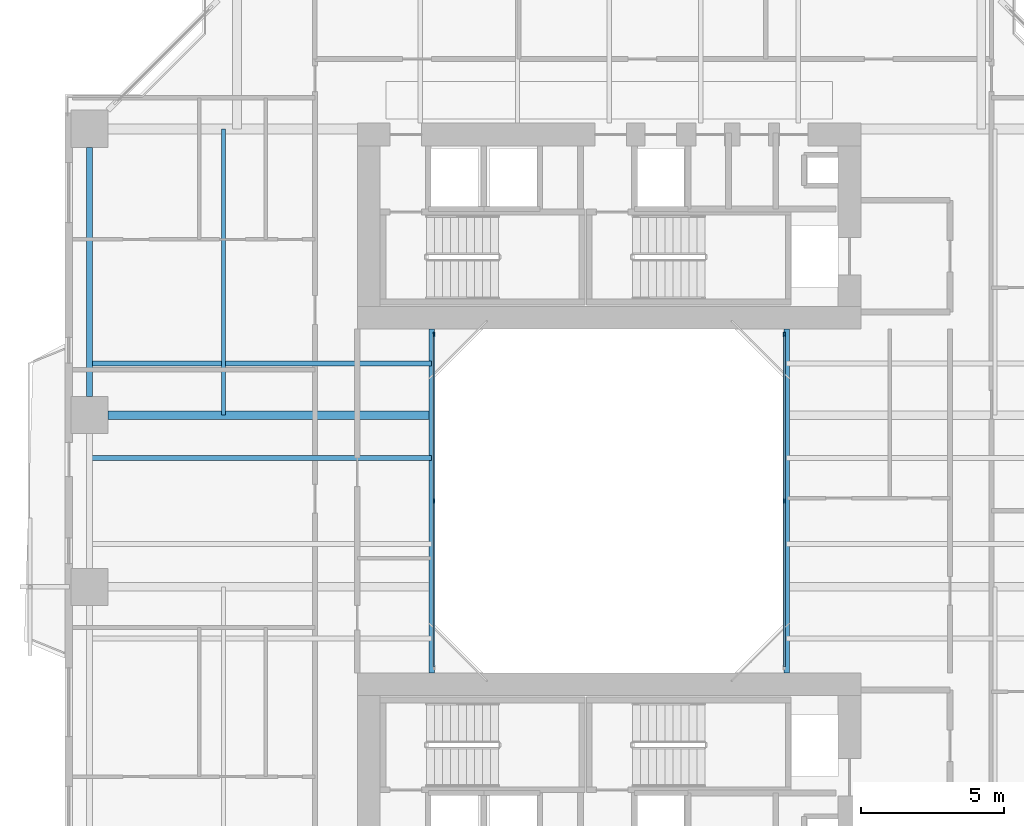
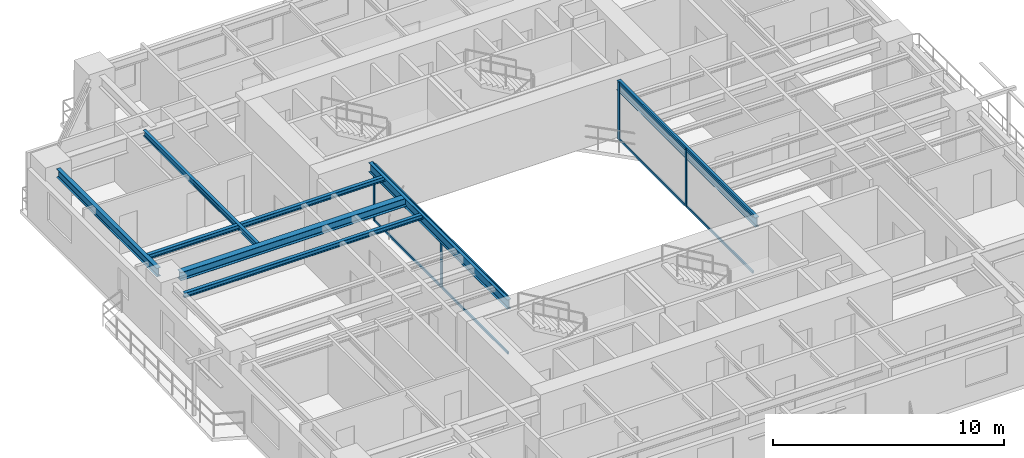
# One storey, part 4 of 23: 12 members, 7 beams, 2 elements without a shape of their own.
"""IFC4 building model written with IfcOpenShell, lengths in metres."""

from ifc_helpers import new_model, si_unit, direction, frame, origin, origin_2d, place, context, subcontext, project, spatial, rectangle, i_section, extrude, source, transform, mapped, material, layer, layer_set, material_profile, profile_set, type_object, element, aggregate, save


model = new_model("IFC4")

# Units and contexts
model_context = context("Model", 3, precision=1e-05, world=origin(), true_north=direction((0.0, 1.0)))
body_context = subcontext(model_context, "Body", "Model", "MODEL_VIEW")
ifc_project = project(units=[si_unit("LENGTHUNIT", "METRE"), si_unit("AREAUNIT", "SQUARE_METRE"), si_unit("VOLUMEUNIT", "CUBIC_METRE"), si_unit("PLANEANGLEUNIT", "RADIAN"), si_unit("MASSUNIT", "GRAM", prefix="KILO"), si_unit("THERMODYNAMICTEMPERATUREUNIT", "KELVIN"), si_unit("POWERUNIT", "WATT")], contexts=[model_context])

# Site, building, storey
site_placement = place(None, origin())
site = spatial("IfcSite", under=ifc_project, at=site_placement, CompositionType="ELEMENT")
building_placement = place(site_placement, origin())
building = spatial("IfcBuilding", under=site, at=building_placement, Name="Qiaomeng Ring Towers", CompositionType="ELEMENT")
storey_placement = place(building_placement, frame((0.0, 0.0, 89.25)))
storey = spatial("IfcBuildingStorey", under=building, at=storey_placement, Name="L25", CompositionType="ELEMENT", Elevation=89.25)

# Beams
ifc_material_1 = material(Name="Steel Q355B", Category="steel")
ifc_material_profile_1 = material_profile(ifc_material_1, i_section(OverallWidth=0.199951171875, OverallDepth=0.5, WebThickness=0.010009765625, FlangeThickness=0.01611328125, FilletRadius=0.02001953125, at=origin_2d()), Name="HN 500x200x10x16")
ifc_profile_set_1 = profile_set([ifc_material_profile_1], Name="Steel Q355B")
beam_type_1 = type_object("IfcBeamType", Name="STR-BM-HN500", PredefinedType="BEAM", material=ifc_profile_set_1)
shared_shape_1 = source(origin(), body_context, "Body", "SweptSolid", [
    extrude(i_section(OverallWidth=0.199951171875, OverallDepth=0.5, WebThickness=0.010009765625, FlangeThickness=0.01611328125, FilletRadius=0.02001953125, at=origin_2d()), origin(), (0.0, 0.0, 1.0), 12.0),
])
for number, where, z_axis, x_axis, name in (
    (1, (12.800048828125, 17.0, 2.780029296875), (0.0, 1.0, 0.0), (-1.0, 0.0, 0.0), "L25 beam STR-BM-L25-WELL-W"),
    (2, (25.199951171875, 17.0, 2.780029296875), (0.0, 1.0, 0.0), (-1.0, 0.0, 0.0), "L25 beam STR-BM-L25-WELL-E"),
):
    element("IfcBeam", number, at=place(storey_placement, frame(where, z_axis=z_axis, x_axis=x_axis)), inside=storey, type_object=beam_type_1, Name=name, PredefinedType="BEAM", context=body_context, shape_type="MappedRepresentation", body=[
        mapped(shared_shape_1, transform((0.0, 0.0, 0.0), x_axis=(1.0, 0.0, 0.0), y_axis=(0.0, 1.0, 0.0), z_axis=(0.0, 0.0, 1.0), scale=1.0)),
    ])
ifc_material_profile_2 = material_profile(ifc_material_1, i_section(OverallWidth=0.199951171875, OverallDepth=0.449951171875, WebThickness=0.009033203125, FlangeThickness=0.013916015625, FilletRadius=0.01806640625, at=origin_2d()), Name="HN 450x200x9x14")
ifc_profile_set_2 = profile_set([ifc_material_profile_2], Name="Steel Q355B")
beam_type_2 = type_object("IfcBeamType", Name="STR-BM-HN450", PredefinedType="SPANDREL", material=ifc_profile_set_2)
shared_shape_2 = source(origin(), body_context, "Body", "SweptSolid", [
    extrude(i_section(OverallWidth=0.199951171875, OverallDepth=0.449951171875, WebThickness=0.009033203125, FlangeThickness=0.013916015625, FilletRadius=0.01806640625, at=origin_2d()), origin(), (0.0, 0.0, 1.0), 8.7021484375),
])
beam_1_placement = place(storey_placement, frame((0.85009765625, 35.35107421875, 2.804931640625), z_axis=(0.0, -1.0, 0.0), x_axis=(1.0, 0.0, 0.0)))
element("IfcBeam", 3, at=beam_1_placement, inside=storey, type_object=beam_type_2, Name="L25 beam STR-SP-L25-T1-W4-W3", PredefinedType="SPANDREL", context=body_context, shape_type="MappedRepresentation", body=[
    mapped(shared_shape_2, transform((0.0, 0.0, 0.0), x_axis=(1.0, 0.0, 0.0), y_axis=(0.0, 1.0, 0.0), z_axis=(0.0, 0.0, 1.0), scale=1.0)),
])
ifc_material_profile_3 = material_profile(ifc_material_1, i_section(OverallWidth=0.300048828125, OverallDepth=0.43994140625, WebThickness=0.010986328125, FlangeThickness=0.01806640625, FilletRadius=0.02392578125, at=origin_2d()), Name="HM 440x300x11x18")
ifc_profile_set_3 = profile_set([ifc_material_profile_3], Name="Steel Q355B")
beam_type_3 = type_object("IfcBeamType", Name="STR-BM-HM440", PredefinedType="BEAM", material=ifc_profile_set_3)
shared_shape_3 = source(origin(), body_context, "Body", "SweptSolid", [
    extrude(i_section(OverallWidth=0.300048828125, OverallDepth=0.43994140625, WebThickness=0.010986328125, FlangeThickness=0.01806640625, FilletRadius=0.02392578125, at=origin_2d()), origin(), (0.0, 0.0, 1.0), 11.301025390625),
])
beam_2_placement = place(storey_placement, frame((1.4990234375, 26.0, 2.81005859375), z_axis=(1.0, 0.0, 0.0), x_axis=(0.0, 1.0, 0.0)))
element("IfcBeam", 4, at=beam_2_placement, inside=storey, type_object=beam_type_3, Name="L25 beam STR-BM-L25-T1-RAD-W3", PredefinedType="BEAM", context=body_context, shape_type="MappedRepresentation", body=[
    mapped(shared_shape_3, transform((0.0, 0.0, 0.0), x_axis=(1.0, 0.0, 0.0), y_axis=(0.0, 1.0, 0.0), z_axis=(0.0, 0.0, 1.0), scale=1.0)),
])
ifc_material_profile_4 = material_profile(ifc_material_1, i_section(OverallWidth=0.175048828125, OverallDepth=0.243896484375, WebThickness=0.007080078125, FlangeThickness=0.010986328125, FilletRadius=0.01611328125, at=origin_2d()), Name="HM 244x175x7x11")
ifc_profile_set_4 = profile_set([ifc_material_profile_4], Name="Steel Q355B")
beam_type_4 = type_object("IfcBeamType", Name="STR-BM-HM244", PredefinedType="JOIST", material=ifc_profile_set_4)
shared_shape_4 = source(origin(), body_context, "Body", "SweptSolid", [
    extrude(i_section(OverallWidth=0.175048828125, OverallDepth=0.243896484375, WebThickness=0.007080078125, FlangeThickness=0.010986328125, FilletRadius=0.01611328125, at=origin_2d()), origin(), (0.0, 0.0, 1.0), 11.949951171875),
])
for number, where, z_axis, x_axis, name in (
    (5, (0.85009765625, 24.5, 2.907958984375), (1.0, 0.0, 0.0), (0.0, 1.0, 0.0), "L25 beam STR-JST-L25-T1W-3"),
    (6, (0.85009765625, 27.800048828125, 2.907958984375), (1.0, 0.0, 0.0), (0.0, 1.0, 0.0), "L25 beam STR-JST-L25-T1W-4"),
):
    element("IfcBeam", number, at=place(storey_placement, frame(where, z_axis=z_axis, x_axis=x_axis)), inside=storey, type_object=beam_type_4, Name=name, PredefinedType="JOIST", context=body_context, shape_type="MappedRepresentation", body=[
        mapped(shared_shape_4, transform((0.0, 0.0, 0.0), x_axis=(1.0, 0.0, 0.0), y_axis=(0.0, 1.0, 0.0), z_axis=(0.0, 0.0, 1.0), scale=1.0)),
    ])
ifc_material_profile_5 = material_profile(ifc_material_1, i_section(OverallWidth=0.14990234375, OverallDepth=0.300048828125, WebThickness=0.006591796875, FlangeThickness=0.009033203125, FilletRadius=0.012939453125, at=origin_2d()), Name="HN 300x150x6.5x9")
ifc_profile_set_5 = profile_set([ifc_material_profile_5], Name="Steel Q355B")
beam_type_5 = type_object("IfcBeamType", Name="STR-BM-HN300", PredefinedType="JOIST", material=ifc_profile_set_5)
shared_shape_5 = source(origin(), body_context, "Body", "SweptSolid", [
    extrude(i_section(OverallWidth=0.14990234375, OverallDepth=0.300048828125, WebThickness=0.006591796875, FlangeThickness=0.009033203125, FilletRadius=0.012939453125, at=origin_2d()), origin(), (0.0, 0.0, 1.0), 10.0),
])
beam_3_placement = place(storey_placement, frame((5.52490234375, 26.0, 2.8798828125), z_axis=(0.0, 1.0, 0.0), x_axis=(-1.0, 0.0, 0.0)))
element("IfcBeam", 7, at=beam_3_placement, inside=storey, type_object=beam_type_5, Name="L25 beam STR-JST-L25-T1C-WN", PredefinedType="JOIST", context=body_context, shape_type="MappedRepresentation", body=[
    mapped(shared_shape_5, transform((0.0, 0.0, 0.0), x_axis=(1.0, 0.0, 0.0), y_axis=(0.0, 1.0, 0.0), z_axis=(0.0, 0.0, 1.0), scale=1.0)),
])

# Curtain wall, members
ifc_material_2 = material(Name="Fluorocarbon dark-grey aluminium", Category="aluminium")
ifc_layer = layer(ifc_material_2, 0.139892578125, Name="Fluorocarbon dark-grey aluminium")
ifc_layer_set = layer_set([ifc_layer], Name="Fluorocarbon dark-grey aluminium")
curtain_wall_type = type_object("IfcCurtainWallType", Name="ARC-CW-4", PredefinedType="NOTDEFINED", material=ifc_layer_set)
curtain_wall_1_placement = place(storey_placement, origin())
curtain_wall_1 = element("IfcCurtainWall", 8, at=curtain_wall_1_placement, inside=storey, type_object=curtain_wall_type, Name="L25 Curtain Wall CW4", PredefinedType="NOTDEFINED")
ifc_material_profile_6 = material_profile(ifc_material_2, rectangle(XDim=0.06494140625, YDim=0.1298828125, at=origin_2d()), Name="ALU TRAN 65x130")
ifc_profile_set_6 = profile_set([ifc_material_profile_6], Name="Fluorocarbon dark-grey aluminium")
member_type_1 = type_object("IfcMemberType", Name="ARC-CWT-120", PredefinedType="USERDEFINED", material=ifc_profile_set_6)
shared_shape_6 = source(origin(), body_context, "Body", "SweptSolid", [
    extrude(rectangle(XDim=0.06494140625, YDim=0.1298828125, at=origin_2d()), origin(), (0.0, 0.0, 1.0), 5.75244140625),
])
member_1_placement = place(storey_placement, frame((12.8798828125, 17.215087890625, 0.032470703125), z_axis=(0.0, 1.0, 0.0), x_axis=(-1.0, 0.0, 0.0)))
member_1 = element("IfcMember", 9, at=member_1_placement, type_object=member_type_1, Name="CW4 transom 1.1", ObjectType="TRANSOM", PredefinedType="USERDEFINED", context=body_context, shape_type="MappedRepresentation", body=[
    mapped(shared_shape_6, transform((0.0, 0.0, 0.0), x_axis=(1.0, 0.0, 0.0), y_axis=(0.0, 1.0, 0.0), z_axis=(0.0, 0.0, 1.0), scale=1.0)),
])
member_2_placement = place(storey_placement, frame((12.8798828125, 17.215087890625, 2.99755859375), z_axis=(0.0, 1.0, 0.0), x_axis=(-1.0, 0.0, 0.0)))
member_2 = element("IfcMember", 10, at=member_2_placement, type_object=member_type_1, Name="CW4 transom 1.2", ObjectType="TRANSOM", PredefinedType="USERDEFINED", context=body_context, shape_type="MappedRepresentation", body=[
    mapped(shared_shape_6, transform((0.0, 0.0, 0.0), x_axis=(1.0, 0.0, 0.0), y_axis=(0.0, 1.0, 0.0), z_axis=(0.0, 0.0, 1.0), scale=1.0)),
])
member_3_placement = place(storey_placement, frame((12.8798828125, 23.032470703125, 0.032470703125), z_axis=(0.0, 1.0, 0.0), x_axis=(-1.0, 0.0, 0.0)))
member_3 = element("IfcMember", 11, at=member_3_placement, type_object=member_type_1, Name="CW4 transom 2.1", ObjectType="TRANSOM", PredefinedType="USERDEFINED", context=body_context, shape_type="MappedRepresentation", body=[
    mapped(shared_shape_6, transform((0.0, 0.0, 0.0), x_axis=(1.0, 0.0, 0.0), y_axis=(0.0, 1.0, 0.0), z_axis=(0.0, 0.0, 1.0), scale=1.0)),
])
member_4_placement = place(storey_placement, frame((12.8798828125, 23.032470703125, 2.99755859375), z_axis=(0.0, 1.0, 0.0), x_axis=(-1.0, 0.0, 0.0)))
member_4 = element("IfcMember", 12, at=member_4_placement, type_object=member_type_1, Name="CW4 transom 2.2", ObjectType="TRANSOM", PredefinedType="USERDEFINED", context=body_context, shape_type="MappedRepresentation", body=[
    mapped(shared_shape_6, transform((0.0, 0.0, 0.0), x_axis=(1.0, 0.0, 0.0), y_axis=(0.0, 1.0, 0.0), z_axis=(0.0, 0.0, 1.0), scale=1.0)),
])

curtain_wall_2_placement = place(storey_placement, origin())
curtain_wall_2 = element("IfcCurtainWall", 13, at=curtain_wall_2_placement, inside=storey, type_object=curtain_wall_type, Name="L25 Curtain Wall CW4", PredefinedType="NOTDEFINED")
member_5_placement = place(storey_placement, frame((25.1201171875, 17.215087890625, 0.032470703125), z_axis=(0.0, 1.0, 0.0), x_axis=(-1.0, 0.0, 0.0)))
member_5 = element("IfcMember", 14, at=member_5_placement, type_object=member_type_1, Name="CW4 transom 1.1", ObjectType="TRANSOM", PredefinedType="USERDEFINED", context=body_context, shape_type="MappedRepresentation", body=[
    mapped(shared_shape_6, transform((0.0, 0.0, 0.0), x_axis=(1.0, 0.0, 0.0), y_axis=(0.0, 1.0, 0.0), z_axis=(0.0, 0.0, 1.0), scale=1.0)),
])
member_6_placement = place(storey_placement, frame((25.1201171875, 17.215087890625, 2.99755859375), z_axis=(0.0, 1.0, 0.0), x_axis=(-1.0, 0.0, 0.0)))
member_6 = element("IfcMember", 15, at=member_6_placement, type_object=member_type_1, Name="CW4 transom 1.2", ObjectType="TRANSOM", PredefinedType="USERDEFINED", context=body_context, shape_type="MappedRepresentation", body=[
    mapped(shared_shape_6, transform((0.0, 0.0, 0.0), x_axis=(1.0, 0.0, 0.0), y_axis=(0.0, 1.0, 0.0), z_axis=(0.0, 0.0, 1.0), scale=1.0)),
])
member_7_placement = place(storey_placement, frame((25.1201171875, 23.032470703125, 0.032470703125), z_axis=(0.0, 1.0, 0.0), x_axis=(-1.0, 0.0, 0.0)))
member_7 = element("IfcMember", 16, at=member_7_placement, type_object=member_type_1, Name="CW4 transom 2.1", ObjectType="TRANSOM", PredefinedType="USERDEFINED", context=body_context, shape_type="MappedRepresentation", body=[
    mapped(shared_shape_6, transform((0.0, 0.0, 0.0), x_axis=(1.0, 0.0, 0.0), y_axis=(0.0, 1.0, 0.0), z_axis=(0.0, 0.0, 1.0), scale=1.0)),
])
member_8_placement = place(storey_placement, frame((25.1201171875, 23.032470703125, 2.99755859375), z_axis=(0.0, 1.0, 0.0), x_axis=(-1.0, 0.0, 0.0)))
member_8 = element("IfcMember", 17, at=member_8_placement, type_object=member_type_1, Name="CW4 transom 2.2", ObjectType="TRANSOM", PredefinedType="USERDEFINED", context=body_context, shape_type="MappedRepresentation", body=[
    mapped(shared_shape_6, transform((0.0, 0.0, 0.0), x_axis=(1.0, 0.0, 0.0), y_axis=(0.0, 1.0, 0.0), z_axis=(0.0, 0.0, 1.0), scale=1.0)),
])

# Member
ifc_material_profile_7 = material_profile(ifc_material_2, rectangle(XDim=0.06494140625, YDim=0.159912109375, at=origin_2d()), Name="ALU MULL 65x160")
ifc_profile_set_7 = profile_set([ifc_material_profile_7], Name="Fluorocarbon dark-grey aluminium")
member_type_2 = type_object("IfcMemberType", Name="ARC-CWM-140", PredefinedType="MULLION", material=ifc_profile_set_7)
shared_shape_7 = source(origin(), body_context, "Body", "SweptSolid", [
    extrude(rectangle(XDim=0.06494140625, YDim=0.159912109375, at=origin_2d()), origin(), (0.0, 0.0, 1.0), 3.030029296875),
])
member_9_placement = place(storey_placement, frame((12.8798828125, 23.0, 0.0), z_axis=(0.0, 0.0, 1.0), x_axis=(-1.0, 0.0, 0.0)))
member_9 = element("IfcMember", 18, at=member_9_placement, type_object=member_type_2, Name="CW4 mullion 2", PredefinedType="MULLION", context=body_context, shape_type="MappedRepresentation", body=[
    mapped(shared_shape_7, transform((0.0, 0.0, 0.0), x_axis=(1.0, 0.0, 0.0), y_axis=(0.0, 1.0, 0.0), z_axis=(0.0, 0.0, 1.0), scale=1.0)),
])

member_10_placement = place(storey_placement, frame((12.8798828125, 28.8173828125, 0.0), z_axis=(0.0, 0.0, 1.0), x_axis=(-1.0, 0.0, 0.0)))
member_10 = element("IfcMember", 19, at=member_10_placement, type_object=member_type_2, Name="CW4 mullion 3", PredefinedType="MULLION", context=body_context, shape_type="MappedRepresentation", body=[
    mapped(shared_shape_7, transform((0.0, 0.0, 0.0), x_axis=(1.0, 0.0, 0.0), y_axis=(0.0, 1.0, 0.0), z_axis=(0.0, 0.0, 1.0), scale=1.0)),
])

aggregate(curtain_wall_1, [member_9, member_10, member_1, member_2, member_3, member_4])

member_11_placement = place(storey_placement, frame((25.1201171875, 23.0, 0.0), z_axis=(0.0, 0.0, 1.0), x_axis=(-1.0, 0.0, 0.0)))
member_11 = element("IfcMember", 20, at=member_11_placement, type_object=member_type_2, Name="CW4 mullion 2", PredefinedType="MULLION", context=body_context, shape_type="MappedRepresentation", body=[
    mapped(shared_shape_7, transform((0.0, 0.0, 0.0), x_axis=(1.0, 0.0, 0.0), y_axis=(0.0, 1.0, 0.0), z_axis=(0.0, 0.0, 1.0), scale=1.0)),
])

member_12_placement = place(storey_placement, frame((25.1201171875, 28.8173828125, 0.0), z_axis=(0.0, 0.0, 1.0), x_axis=(-1.0, 0.0, 0.0)))
member_12 = element("IfcMember", 21, at=member_12_placement, type_object=member_type_2, Name="CW4 mullion 3", PredefinedType="MULLION", context=body_context, shape_type="MappedRepresentation", body=[
    mapped(shared_shape_7, transform((0.0, 0.0, 0.0), x_axis=(1.0, 0.0, 0.0), y_axis=(0.0, 1.0, 0.0), z_axis=(0.0, 0.0, 1.0), scale=1.0)),
])

aggregate(curtain_wall_2, [member_11, member_12, member_5, member_6, member_7, member_8])

save(model, "model.ifc")
